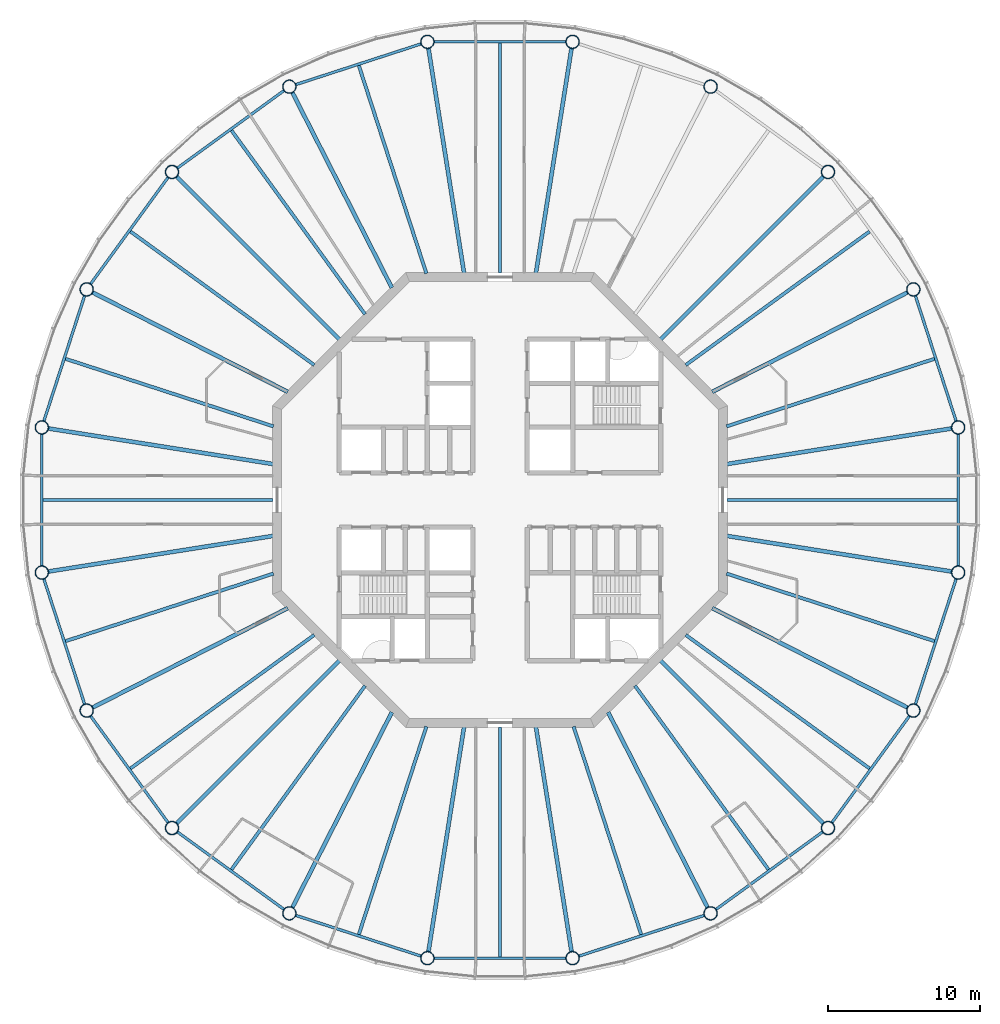
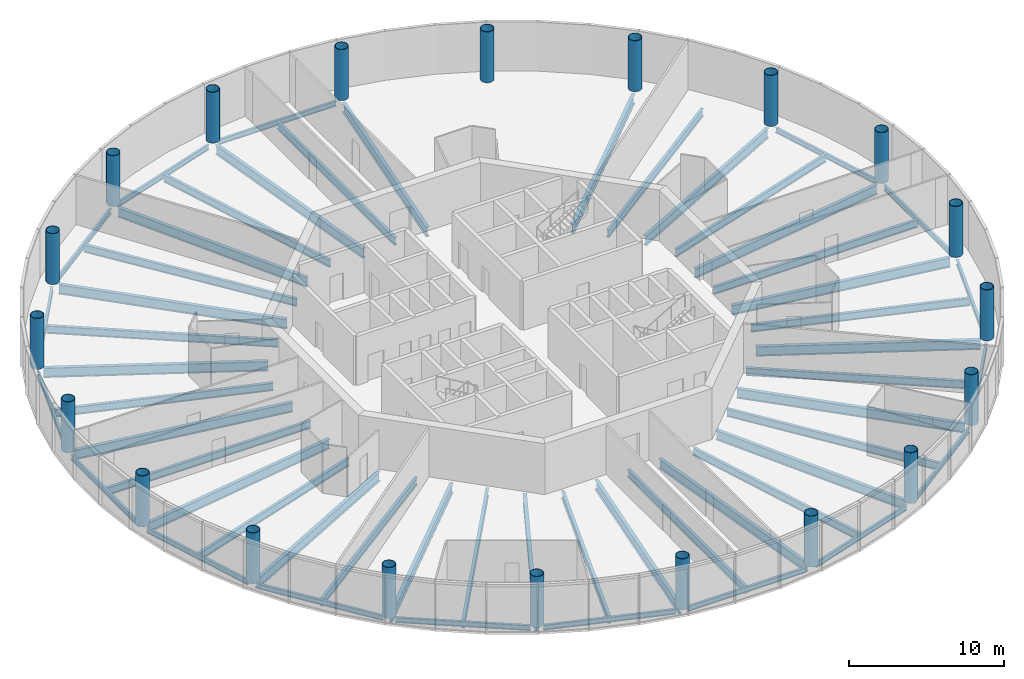
# One storey, part 1 of 13: 54 beams, 20 columns.
"""IFC4 building model written with IfcOpenShell, lengths in metres."""

from ifc_helpers import new_model, si_unit, direction, frame, origin, origin_2d, place, context, subcontext, project, spatial, circle, hollow_circle, i_section, extrude, material, material_profile, profile_set, type_object, element, save


model = new_model("IFC4")

# Units and contexts
model_context = context("Model", 3, precision=1e-05, world=origin(), true_north=direction((0.0, 1.0)))
body_context = subcontext(model_context, "Body", "Model", "MODEL_VIEW")
ifc_project = project(units=[si_unit("LENGTHUNIT", "METRE"), si_unit("AREAUNIT", "SQUARE_METRE"), si_unit("VOLUMEUNIT", "CUBIC_METRE"), si_unit("PLANEANGLEUNIT", "RADIAN"), si_unit("MASSUNIT", "GRAM", prefix="KILO")], contexts=[model_context])

# Site, building, storey
site_placement = place(None, origin())
site = spatial("IfcSite", under=ifc_project, at=site_placement, CompositionType="ELEMENT")
building_placement = place(site_placement, origin())
building = spatial("IfcBuilding", under=site, at=building_placement, Name="Entoto Ring Tower", CompositionType="ELEMENT")
storey_placement = place(building_placement, frame((0.0, 0.0, 340.0)))
storey = spatial("IfcBuildingStorey", under=building, at=storey_placement, Name="L78", CompositionType="ELEMENT", Elevation=340.0)

# Columns
ifc_material_1 = material(Name="Steel S355", Category="steel")
ifc_material_profile_1 = material_profile(ifc_material_1, hollow_circle(Radius=0.449951171875, WallThickness=0.0400390625, at=origin_2d()), Name="CHS 900 x 40")
ifc_material_2 = material(Name="Concrete C60/75", Category="concrete")
ifc_material_profile_2 = material_profile(ifc_material_2, circle(Radius=0.409912109375, at=origin_2d()), Name="Concrete C60/75 infill")
ifc_profile_set_1 = profile_set([ifc_material_profile_1, ifc_material_profile_2], Name="Steel S355")
column_type = type_object("IfcColumnType", Name="Ring column 900 x 40 concrete-filled tube", PredefinedType="COLUMN", material=ifc_profile_set_1)
for number, where, z_axis, x_axis, name in (
    (1, (120.22314453125, 84.786865234375, 0.0), (0.0, 0.0, 1.0), (1.0, 0.0, 0.0), "RC6 R01"),
    (2, (117.264892578125, 93.89208984375, 0.0), (0.0, 0.0, 1.0), (1.0, 0.0, 0.0), "RC6 R02"),
    (3, (111.637451171875, 101.637451171875, 0.0), (0.0, 0.0, 1.0), (1.0, 0.0, 0.0), "RC6 R03"),
    (4, (103.89208984375, 107.264892578125, 0.0), (0.0, 0.0, 1.0), (1.0, 0.0, 0.0), "RC6 R04"),
    (5, (94.786865234375, 110.22314453125, 0.0), (0.0, 0.0, 1.0), (1.0, 0.0, 0.0), "RC6 R05"),
    (6, (85.213134765625, 110.22314453125, 0.0), (0.0, 0.0, 1.0), (1.0, 0.0, 0.0), "RC6 R06"),
    (7, (76.10791015625, 107.264892578125, 0.0), (0.0, 0.0, 1.0), (1.0, 0.0, 0.0), "RC6 R07"),
    (8, (68.362548828125, 101.637451171875, 0.0), (0.0, 0.0, 1.0), (1.0, 0.0, 0.0), "RC6 R08"),
    (9, (62.735107421875, 93.89208984375, 0.0), (0.0, 0.0, 1.0), (1.0, 0.0, 0.0), "RC6 R09"),
    (10, (59.77685546875, 84.786865234375, 0.0), (0.0, 0.0, 1.0), (1.0, 0.0, 0.0), "RC6 R10"),
    (11, (59.77685546875, 75.213134765625, 0.0), (0.0, 0.0, 1.0), (1.0, 0.0, 0.0), "RC6 R11"),
    (12, (62.735107421875, 66.10791015625, 0.0), (0.0, 0.0, 1.0), (1.0, 0.0, 0.0), "RC6 R12"),
    (13, (68.362548828125, 58.362548828125, 0.0), (0.0, 0.0, 1.0), (1.0, 0.0, 0.0), "RC6 R13"),
    (14, (76.10791015625, 52.735107421875, 0.0), (0.0, 0.0, 1.0), (1.0, 0.0, 0.0), "RC6 R14"),
    (15, (85.213134765625, 49.77685546875, 0.0), (0.0, 0.0, 1.0), (1.0, 0.0, 0.0), "RC6 R15"),
    (16, (94.786865234375, 49.77685546875, 0.0), (0.0, 0.0, 1.0), (1.0, 0.0, 0.0), "RC6 R16"),
    (17, (103.89208984375, 52.735107421875, 0.0), (0.0, 0.0, 1.0), (1.0, 0.0, 0.0), "RC6 R17"),
    (18, (111.637451171875, 58.362548828125, 0.0), (0.0, 0.0, 1.0), (1.0, 0.0, 0.0), "RC6 R18"),
    (19, (117.264892578125, 66.10791015625, 0.0), (0.0, 0.0, 1.0), (1.0, 0.0, 0.0), "RC6 R19"),
    (20, (120.22314453125, 75.213134765625, 0.0), (0.0, 0.0, 1.0), (1.0, 0.0, 0.0), "RC6 R20"),
):
    element("IfcColumn", number, at=place(storey_placement, frame(where, z_axis=z_axis, x_axis=x_axis)), inside=storey, type_object=column_type, Name=name, PredefinedType="COLUMN", context=body_context, shape_type="SweptSolid", body=[
        extrude(hollow_circle(Radius=0.449951171875, WallThickness=0.0400390625, at=origin_2d()), origin(), (0.0, 0.0, 1.0), 4.0),
    ])

# Beams
ifc_material_3 = material(Name="Steel S355", Category="steel")
ifc_material_profile_3 = material_profile(ifc_material_3, i_section(OverallWidth=0.179931640625, OverallDepth=0.39990234375, WebThickness=0.008544921875, FlangeThickness=0.013427734375, FilletRadius=0.02099609375, at=origin_2d()), Name="IPE 400")
ifc_profile_set_2 = profile_set([ifc_material_profile_3], Name="Steel S355")
beam_type_1 = type_object("IfcBeamType", Name="Edge beam IPE 400", PredefinedType="SPANDREL", material=ifc_profile_set_2)
beam_1_placement = place(storey_placement, frame((120.09326171875, 85.187255859375, -0.35009765625), z_axis=(-0.309030438368, 0.951052147972, 0.0), x_axis=(-0.951052147972, -0.309030438368, 0.0)))
element("IfcBeam", 21, at=beam_1_placement, inside=storey, type_object=beam_type_1, Name="Edge beam L78 01", PredefinedType="SPANDREL", context=body_context, shape_type="SweptSolid", body=[
    extrude(i_section(OverallWidth=0.179931640625, OverallDepth=0.39990234375, WebThickness=0.008544921875, FlangeThickness=0.013427734375, FilletRadius=0.02099609375, at=origin_2d()), origin(), (0.0, 0.0, 1.0), 8.732177734375),
])
beam_2_placement = place(storey_placement, frame((94.365966796875, 110.22314453125, -0.35009765625), z_axis=(-1.0, 0.0, 0.0), x_axis=(0.0, -1.0, 0.0)))
element("IfcBeam", 22, at=beam_2_placement, inside=storey, type_object=beam_type_1, Name="Edge beam L78 05", PredefinedType="SPANDREL", context=body_context, shape_type="SweptSolid", body=[
    extrude(i_section(OverallWidth=0.179931640625, OverallDepth=0.39990234375, WebThickness=0.008544921875, FlangeThickness=0.013427734375, FilletRadius=0.02099609375, at=origin_2d()), origin(), (0.0, 0.0, 1.0), 8.73193359375),
])
beam_3_placement = place(storey_placement, frame((84.812744140625, 110.09326171875, -0.35009765625), z_axis=(-0.951052147972, -0.309030438368, 0.0), x_axis=(0.309030438368, -0.951052147972, 0.0)))
element("IfcBeam", 23, at=beam_3_placement, inside=storey, type_object=beam_type_1, Name="Edge beam L78 06", PredefinedType="SPANDREL", context=body_context, shape_type="SweptSolid", body=[
    extrude(i_section(OverallWidth=0.179931640625, OverallDepth=0.39990234375, WebThickness=0.008544921875, FlangeThickness=0.013427734375, FilletRadius=0.02099609375, at=origin_2d()), origin(), (0.0, 0.0, 1.0), 8.732177734375),
])
for number, where, z_axis, x_axis, name in (
    (24, (75.767333984375, 107.017333984375, -0.35009765625), (-0.80901045354, -0.587794254874, 0.0), (0.587794254874, -0.80901045354, 0.0), "Edge beam L78 07"),
    (25, (68.115234375, 101.296875, -0.35009765625), (-0.587794254874, -0.80901045354, 0.0), (0.80901045354, -0.587794254874, 0.0), "Edge beam L78 08"),
):
    element("IfcBeam", number, at=place(storey_placement, frame(where, z_axis=z_axis, x_axis=x_axis)), inside=storey, type_object=beam_type_1, Name=name, PredefinedType="SPANDREL", context=body_context, shape_type="SweptSolid", body=[
        extrude(i_section(OverallWidth=0.179931640625, OverallDepth=0.39990234375, WebThickness=0.008544921875, FlangeThickness=0.013427734375, FilletRadius=0.02099609375, at=origin_2d()), origin(), (0.0, 0.0, 1.0), 8.73193359375),
    ])
beam_4_placement = place(storey_placement, frame((62.605224609375, 93.491943359375, -0.35009765625), z_axis=(-0.309030438368, -0.951052147972, 0.0), x_axis=(0.951052147972, -0.309030438368, 0.0)))
element("IfcBeam", 26, at=beam_4_placement, inside=storey, type_object=beam_type_1, Name="Edge beam L78 09", PredefinedType="SPANDREL", context=body_context, shape_type="SweptSolid", body=[
    extrude(i_section(OverallWidth=0.179931640625, OverallDepth=0.39990234375, WebThickness=0.008544921875, FlangeThickness=0.013427734375, FilletRadius=0.02099609375, at=origin_2d()), origin(), (0.0, 0.0, 1.0), 8.732177734375),
])
beam_5_placement = place(storey_placement, frame((59.77685546875, 84.365966796875, -0.35009765625), z_axis=(0.0, -1.0, 0.0), x_axis=(1.0, 0.0, 0.0)))
element("IfcBeam", 27, at=beam_5_placement, inside=storey, type_object=beam_type_1, Name="Edge beam L78 10", PredefinedType="SPANDREL", context=body_context, shape_type="SweptSolid", body=[
    extrude(i_section(OverallWidth=0.179931640625, OverallDepth=0.39990234375, WebThickness=0.008544921875, FlangeThickness=0.013427734375, FilletRadius=0.02099609375, at=origin_2d()), origin(), (0.0, 0.0, 1.0), 8.73193359375),
])
beam_6_placement = place(storey_placement, frame((59.90673828125, 74.812744140625, -0.35009765625), z_axis=(0.309030438368, -0.951052147972, 0.0), x_axis=(0.951052147972, 0.309030438368, 0.0)))
element("IfcBeam", 28, at=beam_6_placement, inside=storey, type_object=beam_type_1, Name="Edge beam L78 11", PredefinedType="SPANDREL", context=body_context, shape_type="SweptSolid", body=[
    extrude(i_section(OverallWidth=0.179931640625, OverallDepth=0.39990234375, WebThickness=0.008544921875, FlangeThickness=0.013427734375, FilletRadius=0.02099609375, at=origin_2d()), origin(), (0.0, 0.0, 1.0), 8.732177734375),
])
for number, where, z_axis, x_axis, name in (
    (29, (62.982666015625, 65.767333984375, -0.35009765625), (0.587794254874, -0.80901045354, 0.0), (0.80901045354, 0.587794254874, 0.0), "Edge beam L78 12"),
    (30, (68.703125, 58.115234375, -0.35009765625), (0.80901045354, -0.587794254874, 0.0), (0.587794254874, 0.80901045354, 0.0), "Edge beam L78 13"),
):
    element("IfcBeam", number, at=place(storey_placement, frame(where, z_axis=z_axis, x_axis=x_axis)), inside=storey, type_object=beam_type_1, Name=name, PredefinedType="SPANDREL", context=body_context, shape_type="SweptSolid", body=[
        extrude(i_section(OverallWidth=0.179931640625, OverallDepth=0.39990234375, WebThickness=0.008544921875, FlangeThickness=0.013427734375, FilletRadius=0.02099609375, at=origin_2d()), origin(), (0.0, 0.0, 1.0), 8.73193359375),
    ])
beam_7_placement = place(storey_placement, frame((76.508056640625, 52.605224609375, -0.35009765625), z_axis=(0.951052147972, -0.309030438368, 0.0), x_axis=(0.309030438368, 0.951052147972, 0.0)))
element("IfcBeam", 31, at=beam_7_placement, inside=storey, type_object=beam_type_1, Name="Edge beam L78 14", PredefinedType="SPANDREL", context=body_context, shape_type="SweptSolid", body=[
    extrude(i_section(OverallWidth=0.179931640625, OverallDepth=0.39990234375, WebThickness=0.008544921875, FlangeThickness=0.013427734375, FilletRadius=0.02099609375, at=origin_2d()), origin(), (0.0, 0.0, 1.0), 8.732177734375),
])
beam_8_placement = place(storey_placement, frame((85.634033203125, 49.77685546875, -0.35009765625), z_axis=(1.0, 0.0, 0.0), x_axis=(0.0, 1.0, 0.0)))
element("IfcBeam", 32, at=beam_8_placement, inside=storey, type_object=beam_type_1, Name="Edge beam L78 15", PredefinedType="SPANDREL", context=body_context, shape_type="SweptSolid", body=[
    extrude(i_section(OverallWidth=0.179931640625, OverallDepth=0.39990234375, WebThickness=0.008544921875, FlangeThickness=0.013427734375, FilletRadius=0.02099609375, at=origin_2d()), origin(), (0.0, 0.0, 1.0), 8.73193359375),
])
beam_9_placement = place(storey_placement, frame((95.187255859375, 49.90673828125, -0.35009765625), z_axis=(0.951052147972, 0.309030438368, 0.0), x_axis=(-0.309030438368, 0.951052147972, 0.0)))
element("IfcBeam", 33, at=beam_9_placement, inside=storey, type_object=beam_type_1, Name="Edge beam L78 16", PredefinedType="SPANDREL", context=body_context, shape_type="SweptSolid", body=[
    extrude(i_section(OverallWidth=0.179931640625, OverallDepth=0.39990234375, WebThickness=0.008544921875, FlangeThickness=0.013427734375, FilletRadius=0.02099609375, at=origin_2d()), origin(), (0.0, 0.0, 1.0), 8.732177734375),
])
for number, where, z_axis, x_axis, name in (
    (34, (104.232666015625, 52.982666015625, -0.35009765625), (0.80901045354, 0.587794254874, 0.0), (-0.587794254874, 0.80901045354, 0.0), "Edge beam L78 17"),
    (35, (111.884765625, 58.703125, -0.35009765625), (0.587794254874, 0.80901045354, 0.0), (-0.80901045354, 0.587794254874, 0.0), "Edge beam L78 18"),
):
    element("IfcBeam", number, at=place(storey_placement, frame(where, z_axis=z_axis, x_axis=x_axis)), inside=storey, type_object=beam_type_1, Name=name, PredefinedType="SPANDREL", context=body_context, shape_type="SweptSolid", body=[
        extrude(i_section(OverallWidth=0.179931640625, OverallDepth=0.39990234375, WebThickness=0.008544921875, FlangeThickness=0.013427734375, FilletRadius=0.02099609375, at=origin_2d()), origin(), (0.0, 0.0, 1.0), 8.73193359375),
    ])
beam_10_placement = place(storey_placement, frame((117.394775390625, 66.508056640625, -0.35009765625), z_axis=(0.309030438368, 0.951052147972, 0.0), x_axis=(-0.951052147972, 0.309030438368, 0.0)))
element("IfcBeam", 36, at=beam_10_placement, inside=storey, type_object=beam_type_1, Name="Edge beam L78 19", PredefinedType="SPANDREL", context=body_context, shape_type="SweptSolid", body=[
    extrude(i_section(OverallWidth=0.179931640625, OverallDepth=0.39990234375, WebThickness=0.008544921875, FlangeThickness=0.013427734375, FilletRadius=0.02099609375, at=origin_2d()), origin(), (0.0, 0.0, 1.0), 8.732177734375),
])
beam_11_placement = place(storey_placement, frame((120.22314453125, 75.634033203125, -0.35009765625), z_axis=(0.0, 1.0, 0.0), x_axis=(-1.0, 0.0, 0.0)))
element("IfcBeam", 37, at=beam_11_placement, inside=storey, type_object=beam_type_1, Name="Edge beam L78 20", PredefinedType="SPANDREL", context=body_context, shape_type="SweptSolid", body=[
    extrude(i_section(OverallWidth=0.179931640625, OverallDepth=0.39990234375, WebThickness=0.008544921875, FlangeThickness=0.013427734375, FilletRadius=0.02099609375, at=origin_2d()), origin(), (0.0, 0.0, 1.0), 8.73193359375),
])
ifc_material_4 = material(Name="Steel S355", Category="steel")
ifc_material_profile_4 = material_profile(ifc_material_4, i_section(OverallWidth=0.262939453125, OverallDepth=0.7529296875, WebThickness=0.011474609375, FlangeThickness=0.01708984375, FilletRadius=0.01708984375, at=origin_2d()), Name="IPE 750 x 137")
ifc_profile_set_3 = profile_set([ifc_material_profile_4], Name="Steel S355")
beam_type_2 = type_object("IfcBeamType", Name="Primary floor beam IPE 750 x 137", PredefinedType="BEAM", material=ifc_profile_set_3)
beam_12_placement = place(storey_placement, frame((104.959716796875, 82.369384765625, -0.526611328125), z_axis=(0.987688638122, 0.156432586517, 0.0), x_axis=(-0.156432586517, 0.987688638122, 0.0)))
element("IfcBeam", 38, at=beam_12_placement, inside=storey, type_object=beam_type_2, Name="Primary L78 R01", PredefinedType="BEAM", context=body_context, shape_type="SweptSolid", body=[
    extrude(i_section(OverallWidth=0.262939453125, OverallDepth=0.7529296875, WebThickness=0.011474609375, FlangeThickness=0.01708984375, FilletRadius=0.01708984375, at=origin_2d()), origin(), (0.0, 0.0, 1.0), 15.04345703125),
])
beam_13_placement = place(storey_placement, frame((103.9970703125, 87.1318359375, -0.526611328125), z_axis=(0.89100578373, 0.453991952968, 0.0), x_axis=(-0.453991952968, 0.89100578373, 0.0)))
element("IfcBeam", 39, at=beam_13_placement, inside=storey, type_object=beam_type_2, Name="Primary L78 R02", PredefinedType="BEAM", context=body_context, shape_type="SweptSolid", body=[
    extrude(i_section(OverallWidth=0.262939453125, OverallDepth=0.7529296875, WebThickness=0.011474609375, FlangeThickness=0.01708984375, FilletRadius=0.01708984375, at=origin_2d()), origin(), (0.0, 0.0, 1.0), 14.48046875),
])
beam_14_placement = place(storey_placement, frame((100.592529296875, 90.592529296875, -0.526611328125), z_axis=(0.707106781187, 0.707106781187, 0.0), x_axis=(-0.707106781187, 0.707106781187, 0.0)))
element("IfcBeam", 40, at=beam_14_placement, inside=storey, type_object=beam_type_2, Name="Primary L78 R03", PredefinedType="BEAM", context=body_context, shape_type="SweptSolid", body=[
    extrude(i_section(OverallWidth=0.262939453125, OverallDepth=0.7529296875, WebThickness=0.011474609375, FlangeThickness=0.01708984375, FilletRadius=0.01708984375, at=origin_2d()), origin(), (0.0, 0.0, 1.0), 15.209716796875),
])
for number, where, z_axis, x_axis, name in (
    (41, (92.369384765625, 94.959716796875, -0.526611328125), (0.156432586517, 0.987688638122, 0.0), (-0.987688638122, 0.156432586517, 0.0), "Primary L78 R05"),
    (42, (87.630615234375, 94.959716796875, -0.526611328125), (-0.156432586517, 0.987688638122, 0.0), (-0.987688638122, -0.156432586517, 0.0), "Primary L78 R06"),
):
    element("IfcBeam", number, at=place(storey_placement, frame(where, z_axis=z_axis, x_axis=x_axis)), inside=storey, type_object=beam_type_2, Name=name, PredefinedType="BEAM", context=body_context, shape_type="SweptSolid", body=[
        extrude(i_section(OverallWidth=0.262939453125, OverallDepth=0.7529296875, WebThickness=0.011474609375, FlangeThickness=0.01708984375, FilletRadius=0.01708984375, at=origin_2d()), origin(), (0.0, 0.0, 1.0), 15.04345703125),
    ])
beam_15_placement = place(storey_placement, frame((82.8681640625, 93.9970703125, -0.526611328125), z_axis=(-0.453991952968, 0.89100578373, 0.0), x_axis=(-0.89100578373, -0.453991952968, 0.0)))
element("IfcBeam", 43, at=beam_15_placement, inside=storey, type_object=beam_type_2, Name="Primary L78 R07", PredefinedType="BEAM", context=body_context, shape_type="SweptSolid", body=[
    extrude(i_section(OverallWidth=0.262939453125, OverallDepth=0.7529296875, WebThickness=0.011474609375, FlangeThickness=0.01708984375, FilletRadius=0.01708984375, at=origin_2d()), origin(), (0.0, 0.0, 1.0), 14.48046875),
])
beam_16_placement = place(storey_placement, frame((79.407470703125, 90.592529296875, -0.526611328125), z_axis=(-0.707106781187, 0.707106781187, 0.0), x_axis=(-0.707106781187, -0.707106781187, 0.0)))
element("IfcBeam", 44, at=beam_16_placement, inside=storey, type_object=beam_type_2, Name="Primary L78 R08", PredefinedType="BEAM", context=body_context, shape_type="SweptSolid", body=[
    extrude(i_section(OverallWidth=0.262939453125, OverallDepth=0.7529296875, WebThickness=0.011474609375, FlangeThickness=0.01708984375, FilletRadius=0.01708984375, at=origin_2d()), origin(), (0.0, 0.0, 1.0), 15.209716796875),
])
beam_17_placement = place(storey_placement, frame((76.0029296875, 87.1318359375, -0.526611328125), z_axis=(-0.89100578373, 0.453991952968, 0.0), x_axis=(-0.453991952968, -0.89100578373, 0.0)))
element("IfcBeam", 45, at=beam_17_placement, inside=storey, type_object=beam_type_2, Name="Primary L78 R09", PredefinedType="BEAM", context=body_context, shape_type="SweptSolid", body=[
    extrude(i_section(OverallWidth=0.262939453125, OverallDepth=0.7529296875, WebThickness=0.011474609375, FlangeThickness=0.01708984375, FilletRadius=0.01708984375, at=origin_2d()), origin(), (0.0, 0.0, 1.0), 14.48046875),
])
for number, where, z_axis, x_axis, name in (
    (46, (75.040283203125, 82.369384765625, -0.526611328125), (-0.987688638122, 0.156432586517, 0.0), (-0.156432586517, -0.987688638122, 0.0), "Primary L78 R10"),
    (47, (75.040283203125, 77.630615234375, -0.526611328125), (-0.987688638122, -0.156432586517, 0.0), (0.156432586517, -0.987688638122, 0.0), "Primary L78 R11"),
):
    element("IfcBeam", number, at=place(storey_placement, frame(where, z_axis=z_axis, x_axis=x_axis)), inside=storey, type_object=beam_type_2, Name=name, PredefinedType="BEAM", context=body_context, shape_type="SweptSolid", body=[
        extrude(i_section(OverallWidth=0.262939453125, OverallDepth=0.7529296875, WebThickness=0.011474609375, FlangeThickness=0.01708984375, FilletRadius=0.01708984375, at=origin_2d()), origin(), (0.0, 0.0, 1.0), 15.04345703125),
    ])
beam_18_placement = place(storey_placement, frame((76.0029296875, 72.8681640625, -0.526611328125), z_axis=(-0.89100578373, -0.453991952968, 0.0), x_axis=(0.453991952968, -0.89100578373, 0.0)))
element("IfcBeam", 48, at=beam_18_placement, inside=storey, type_object=beam_type_2, Name="Primary L78 R12", PredefinedType="BEAM", context=body_context, shape_type="SweptSolid", body=[
    extrude(i_section(OverallWidth=0.262939453125, OverallDepth=0.7529296875, WebThickness=0.011474609375, FlangeThickness=0.01708984375, FilletRadius=0.01708984375, at=origin_2d()), origin(), (0.0, 0.0, 1.0), 14.48046875),
])
beam_19_placement = place(storey_placement, frame((79.407470703125, 69.407470703125, -0.526611328125), z_axis=(-0.707106781187, -0.707106781187, 0.0), x_axis=(0.707106781187, -0.707106781187, 0.0)))
element("IfcBeam", 49, at=beam_19_placement, inside=storey, type_object=beam_type_2, Name="Primary L78 R13", PredefinedType="BEAM", context=body_context, shape_type="SweptSolid", body=[
    extrude(i_section(OverallWidth=0.262939453125, OverallDepth=0.7529296875, WebThickness=0.011474609375, FlangeThickness=0.01708984375, FilletRadius=0.01708984375, at=origin_2d()), origin(), (0.0, 0.0, 1.0), 15.209716796875),
])
beam_20_placement = place(storey_placement, frame((82.8681640625, 66.0029296875, -0.526611328125), z_axis=(-0.453991952968, -0.89100578373, 0.0), x_axis=(0.89100578373, -0.453991952968, 0.0)))
element("IfcBeam", 50, at=beam_20_placement, inside=storey, type_object=beam_type_2, Name="Primary L78 R14", PredefinedType="BEAM", context=body_context, shape_type="SweptSolid", body=[
    extrude(i_section(OverallWidth=0.262939453125, OverallDepth=0.7529296875, WebThickness=0.011474609375, FlangeThickness=0.01708984375, FilletRadius=0.01708984375, at=origin_2d()), origin(), (0.0, 0.0, 1.0), 14.48046875),
])
for number, where, z_axis, x_axis, name in (
    (51, (87.630615234375, 65.040283203125, -0.526611328125), (-0.156432586517, -0.987688638122, 0.0), (0.987688638122, -0.156432586517, 0.0), "Primary L78 R15"),
    (52, (92.369384765625, 65.040283203125, -0.526611328125), (0.156432586517, -0.987688638122, 0.0), (0.987688638122, 0.156432586517, 0.0), "Primary L78 R16"),
):
    element("IfcBeam", number, at=place(storey_placement, frame(where, z_axis=z_axis, x_axis=x_axis)), inside=storey, type_object=beam_type_2, Name=name, PredefinedType="BEAM", context=body_context, shape_type="SweptSolid", body=[
        extrude(i_section(OverallWidth=0.262939453125, OverallDepth=0.7529296875, WebThickness=0.011474609375, FlangeThickness=0.01708984375, FilletRadius=0.01708984375, at=origin_2d()), origin(), (0.0, 0.0, 1.0), 15.04345703125),
    ])
beam_21_placement = place(storey_placement, frame((97.1318359375, 66.0029296875, -0.526611328125), z_axis=(0.453991952968, -0.89100578373, 0.0), x_axis=(0.89100578373, 0.453991952968, 0.0)))
element("IfcBeam", 53, at=beam_21_placement, inside=storey, type_object=beam_type_2, Name="Primary L78 R17", PredefinedType="BEAM", context=body_context, shape_type="SweptSolid", body=[
    extrude(i_section(OverallWidth=0.262939453125, OverallDepth=0.7529296875, WebThickness=0.011474609375, FlangeThickness=0.01708984375, FilletRadius=0.01708984375, at=origin_2d()), origin(), (0.0, 0.0, 1.0), 14.48046875),
])
beam_22_placement = place(storey_placement, frame((100.592529296875, 69.407470703125, -0.526611328125), z_axis=(0.707106781187, -0.707106781187, 0.0), x_axis=(0.707106781187, 0.707106781187, 0.0)))
element("IfcBeam", 54, at=beam_22_placement, inside=storey, type_object=beam_type_2, Name="Primary L78 R18", PredefinedType="BEAM", context=body_context, shape_type="SweptSolid", body=[
    extrude(i_section(OverallWidth=0.262939453125, OverallDepth=0.7529296875, WebThickness=0.011474609375, FlangeThickness=0.01708984375, FilletRadius=0.01708984375, at=origin_2d()), origin(), (0.0, 0.0, 1.0), 15.209716796875),
])
beam_23_placement = place(storey_placement, frame((103.9970703125, 72.8681640625, -0.526611328125), z_axis=(0.89100578373, -0.453991952968, 0.0), x_axis=(0.453991952968, 0.89100578373, 0.0)))
element("IfcBeam", 55, at=beam_23_placement, inside=storey, type_object=beam_type_2, Name="Primary L78 R19", PredefinedType="BEAM", context=body_context, shape_type="SweptSolid", body=[
    extrude(i_section(OverallWidth=0.262939453125, OverallDepth=0.7529296875, WebThickness=0.011474609375, FlangeThickness=0.01708984375, FilletRadius=0.01708984375, at=origin_2d()), origin(), (0.0, 0.0, 1.0), 14.48046875),
])
beam_24_placement = place(storey_placement, frame((104.959716796875, 77.630615234375, -0.526611328125), z_axis=(0.987688638122, -0.156432586517, 0.0), x_axis=(0.156432586517, 0.987688638122, 0.0)))
element("IfcBeam", 56, at=beam_24_placement, inside=storey, type_object=beam_type_2, Name="Primary L78 R20", PredefinedType="BEAM", context=body_context, shape_type="SweptSolid", body=[
    extrude(i_section(OverallWidth=0.262939453125, OverallDepth=0.7529296875, WebThickness=0.011474609375, FlangeThickness=0.01708984375, FilletRadius=0.01708984375, at=origin_2d()), origin(), (0.0, 0.0, 1.0), 15.04345703125),
])
ifc_material_5 = material(Name="Steel S355", Category="steel")
ifc_material_profile_5 = material_profile(ifc_material_5, i_section(OverallWidth=0.219970703125, OverallDepth=0.60009765625, WebThickness=0.011962890625, FlangeThickness=0.01904296875, FilletRadius=0.02392578125, at=origin_2d()), Name="IPE 600")
ifc_profile_set_4 = profile_set([ifc_material_profile_5], Name="Steel S355")
beam_type_3 = type_object("IfcBeamType", Name="Secondary floor beam IPE 600", PredefinedType="JOIST", material=ifc_profile_set_4)
beam_25_placement = place(storey_placement, frame((104.947021484375, 84.856689453125, -0.449951171875), z_axis=(0.951057212949, 0.309014850288, 0.0), x_axis=(-0.309014850288, 0.951057212949, 0.0)))
element("IfcBeam", 57, at=beam_25_placement, inside=storey, type_object=beam_type_3, Name="Secondary beam L78 01", PredefinedType="JOIST", context=body_context, shape_type="SweptSolid", body=[
    extrude(i_section(OverallWidth=0.219970703125, OverallDepth=0.60009765625, WebThickness=0.011962890625, FlangeThickness=0.01904296875, FilletRadius=0.02392578125, at=origin_2d()), origin(), (0.0, 0.0, 1.0), 14.4169921875),
])
beam_26_placement = place(storey_placement, frame((102.25634765625, 88.90478515625, -0.449951171875), z_axis=(0.809019238239, 0.587782163866, 0.0), x_axis=(-0.587782163866, 0.809019238239, 0.0)))
element("IfcBeam", 58, at=beam_26_placement, inside=storey, type_object=beam_type_3, Name="Secondary beam L78 02", PredefinedType="JOIST", context=body_context, shape_type="SweptSolid", body=[
    extrude(i_section(OverallWidth=0.219970703125, OverallDepth=0.60009765625, WebThickness=0.011962890625, FlangeThickness=0.01904296875, FilletRadius=0.02392578125, at=origin_2d()), origin(), (0.0, 0.0, 1.0), 14.983642578125),
])
beam_27_placement = place(storey_placement, frame((90.0, 94.97998046875, -0.449951171875), z_axis=(0.0, 1.0, 0.0), x_axis=(-1.0, 0.0, 0.0)))
element("IfcBeam", 59, at=beam_27_placement, inside=storey, type_object=beam_type_3, Name="Secondary beam L78 05", PredefinedType="JOIST", context=body_context, shape_type="SweptSolid", body=[
    extrude(i_section(OverallWidth=0.219970703125, OverallDepth=0.60009765625, WebThickness=0.011962890625, FlangeThickness=0.01904296875, FilletRadius=0.02392578125, at=origin_2d()), origin(), (0.0, 0.0, 1.0), 15.1533203125),
])
beam_28_placement = place(storey_placement, frame((85.143310546875, 94.947021484375, -0.449951171875), z_axis=(-0.309014850288, 0.951057212949, 0.0), x_axis=(-0.951057212949, -0.309014850288, 0.0)))
element("IfcBeam", 60, at=beam_28_placement, inside=storey, type_object=beam_type_3, Name="Secondary beam L78 06", PredefinedType="JOIST", context=body_context, shape_type="SweptSolid", body=[
    extrude(i_section(OverallWidth=0.219970703125, OverallDepth=0.60009765625, WebThickness=0.011962890625, FlangeThickness=0.01904296875, FilletRadius=0.02392578125, at=origin_2d()), origin(), (0.0, 0.0, 1.0), 14.4169921875),
])
for number, where, z_axis, x_axis, name in (
    (61, (81.09521484375, 92.25634765625, -0.449951171875), (-0.587782163866, 0.809019238239, 0.0), (-0.809019238239, -0.587782163866, 0.0), "Secondary beam L78 07"),
    (62, (77.74365234375, 88.90478515625, -0.449951171875), (-0.809019238239, 0.587782163866, 0.0), (-0.587782163866, -0.809019238239, 0.0), "Secondary beam L78 08"),
):
    element("IfcBeam", number, at=place(storey_placement, frame(where, z_axis=z_axis, x_axis=x_axis)), inside=storey, type_object=beam_type_3, Name=name, PredefinedType="JOIST", context=body_context, shape_type="SweptSolid", body=[
        extrude(i_section(OverallWidth=0.219970703125, OverallDepth=0.60009765625, WebThickness=0.011962890625, FlangeThickness=0.01904296875, FilletRadius=0.02392578125, at=origin_2d()), origin(), (0.0, 0.0, 1.0), 14.983642578125),
    ])
beam_29_placement = place(storey_placement, frame((75.052978515625, 84.856689453125, -0.449951171875), z_axis=(-0.951057212949, 0.309014850288, 0.0), x_axis=(-0.309014850288, -0.951057212949, 0.0)))
element("IfcBeam", 63, at=beam_29_placement, inside=storey, type_object=beam_type_3, Name="Secondary beam L78 09", PredefinedType="JOIST", context=body_context, shape_type="SweptSolid", body=[
    extrude(i_section(OverallWidth=0.219970703125, OverallDepth=0.60009765625, WebThickness=0.011962890625, FlangeThickness=0.01904296875, FilletRadius=0.02392578125, at=origin_2d()), origin(), (0.0, 0.0, 1.0), 14.4169921875),
])
beam_30_placement = place(storey_placement, frame((75.02001953125, 80.0, -0.449951171875), z_axis=(-1.0, 0.0, 0.0), x_axis=(0.0, -1.0, 0.0)))
element("IfcBeam", 64, at=beam_30_placement, inside=storey, type_object=beam_type_3, Name="Secondary beam L78 10", PredefinedType="JOIST", context=body_context, shape_type="SweptSolid", body=[
    extrude(i_section(OverallWidth=0.219970703125, OverallDepth=0.60009765625, WebThickness=0.011962890625, FlangeThickness=0.01904296875, FilletRadius=0.02392578125, at=origin_2d()), origin(), (0.0, 0.0, 1.0), 15.1533203125),
])
beam_31_placement = place(storey_placement, frame((75.052978515625, 75.143310546875, -0.449951171875), z_axis=(-0.951057212949, -0.309014850288, 0.0), x_axis=(0.309014850288, -0.951057212949, 0.0)))
element("IfcBeam", 65, at=beam_31_placement, inside=storey, type_object=beam_type_3, Name="Secondary beam L78 11", PredefinedType="JOIST", context=body_context, shape_type="SweptSolid", body=[
    extrude(i_section(OverallWidth=0.219970703125, OverallDepth=0.60009765625, WebThickness=0.011962890625, FlangeThickness=0.01904296875, FilletRadius=0.02392578125, at=origin_2d()), origin(), (0.0, 0.0, 1.0), 14.4169921875),
])
for number, where, z_axis, x_axis, name in (
    (66, (77.74365234375, 71.09521484375, -0.449951171875), (-0.809019238239, -0.587782163866, 0.0), (0.587782163866, -0.809019238239, 0.0), "Secondary beam L78 12"),
    (67, (81.09521484375, 67.74365234375, -0.449951171875), (-0.587782163866, -0.809019238239, 0.0), (0.809019238239, -0.587782163866, 0.0), "Secondary beam L78 13"),
):
    element("IfcBeam", number, at=place(storey_placement, frame(where, z_axis=z_axis, x_axis=x_axis)), inside=storey, type_object=beam_type_3, Name=name, PredefinedType="JOIST", context=body_context, shape_type="SweptSolid", body=[
        extrude(i_section(OverallWidth=0.219970703125, OverallDepth=0.60009765625, WebThickness=0.011962890625, FlangeThickness=0.01904296875, FilletRadius=0.02392578125, at=origin_2d()), origin(), (0.0, 0.0, 1.0), 14.983642578125),
    ])
beam_32_placement = place(storey_placement, frame((85.143310546875, 65.052978515625, -0.449951171875), z_axis=(-0.309014850288, -0.951057212949, 0.0), x_axis=(0.951057212949, -0.309014850288, 0.0)))
element("IfcBeam", 68, at=beam_32_placement, inside=storey, type_object=beam_type_3, Name="Secondary beam L78 14", PredefinedType="JOIST", context=body_context, shape_type="SweptSolid", body=[
    extrude(i_section(OverallWidth=0.219970703125, OverallDepth=0.60009765625, WebThickness=0.011962890625, FlangeThickness=0.01904296875, FilletRadius=0.02392578125, at=origin_2d()), origin(), (0.0, 0.0, 1.0), 14.4169921875),
])
beam_33_placement = place(storey_placement, frame((90.0, 65.02001953125, -0.449951171875), z_axis=(0.0, -1.0, 0.0), x_axis=(1.0, 0.0, 0.0)))
element("IfcBeam", 69, at=beam_33_placement, inside=storey, type_object=beam_type_3, Name="Secondary beam L78 15", PredefinedType="JOIST", context=body_context, shape_type="SweptSolid", body=[
    extrude(i_section(OverallWidth=0.219970703125, OverallDepth=0.60009765625, WebThickness=0.011962890625, FlangeThickness=0.01904296875, FilletRadius=0.02392578125, at=origin_2d()), origin(), (0.0, 0.0, 1.0), 15.1533203125),
])
beam_34_placement = place(storey_placement, frame((94.856689453125, 65.052978515625, -0.449951171875), z_axis=(0.309014850288, -0.951057212949, 0.0), x_axis=(0.951057212949, 0.309014850288, 0.0)))
element("IfcBeam", 70, at=beam_34_placement, inside=storey, type_object=beam_type_3, Name="Secondary beam L78 16", PredefinedType="JOIST", context=body_context, shape_type="SweptSolid", body=[
    extrude(i_section(OverallWidth=0.219970703125, OverallDepth=0.60009765625, WebThickness=0.011962890625, FlangeThickness=0.01904296875, FilletRadius=0.02392578125, at=origin_2d()), origin(), (0.0, 0.0, 1.0), 14.4169921875),
])
for number, where, z_axis, x_axis, name in (
    (71, (98.90478515625, 67.74365234375, -0.449951171875), (0.587782163866, -0.809019238239, 0.0), (0.809019238239, 0.587782163866, 0.0), "Secondary beam L78 17"),
    (72, (102.25634765625, 71.09521484375, -0.449951171875), (0.809019238239, -0.587782163866, 0.0), (0.587782163866, 0.809019238239, 0.0), "Secondary beam L78 18"),
):
    element("IfcBeam", number, at=place(storey_placement, frame(where, z_axis=z_axis, x_axis=x_axis)), inside=storey, type_object=beam_type_3, Name=name, PredefinedType="JOIST", context=body_context, shape_type="SweptSolid", body=[
        extrude(i_section(OverallWidth=0.219970703125, OverallDepth=0.60009765625, WebThickness=0.011962890625, FlangeThickness=0.01904296875, FilletRadius=0.02392578125, at=origin_2d()), origin(), (0.0, 0.0, 1.0), 14.983642578125),
    ])
beam_35_placement = place(storey_placement, frame((104.947021484375, 75.143310546875, -0.449951171875), z_axis=(0.951057212949, -0.309014850288, 0.0), x_axis=(0.309014850288, 0.951057212949, 0.0)))
element("IfcBeam", 73, at=beam_35_placement, inside=storey, type_object=beam_type_3, Name="Secondary beam L78 19", PredefinedType="JOIST", context=body_context, shape_type="SweptSolid", body=[
    extrude(i_section(OverallWidth=0.219970703125, OverallDepth=0.60009765625, WebThickness=0.011962890625, FlangeThickness=0.01904296875, FilletRadius=0.02392578125, at=origin_2d()), origin(), (0.0, 0.0, 1.0), 14.4169921875),
])
beam_36_placement = place(storey_placement, frame((104.97998046875, 80.0, -0.449951171875), z_axis=(1.0, 0.0, 0.0), x_axis=(0.0, 1.0, 0.0)))
element("IfcBeam", 74, at=beam_36_placement, inside=storey, type_object=beam_type_3, Name="Secondary beam L78 20", PredefinedType="JOIST", context=body_context, shape_type="SweptSolid", body=[
    extrude(i_section(OverallWidth=0.219970703125, OverallDepth=0.60009765625, WebThickness=0.011962890625, FlangeThickness=0.01904296875, FilletRadius=0.02392578125, at=origin_2d()), origin(), (0.0, 0.0, 1.0), 15.1533203125),
])

save(model, "model.ifc")
